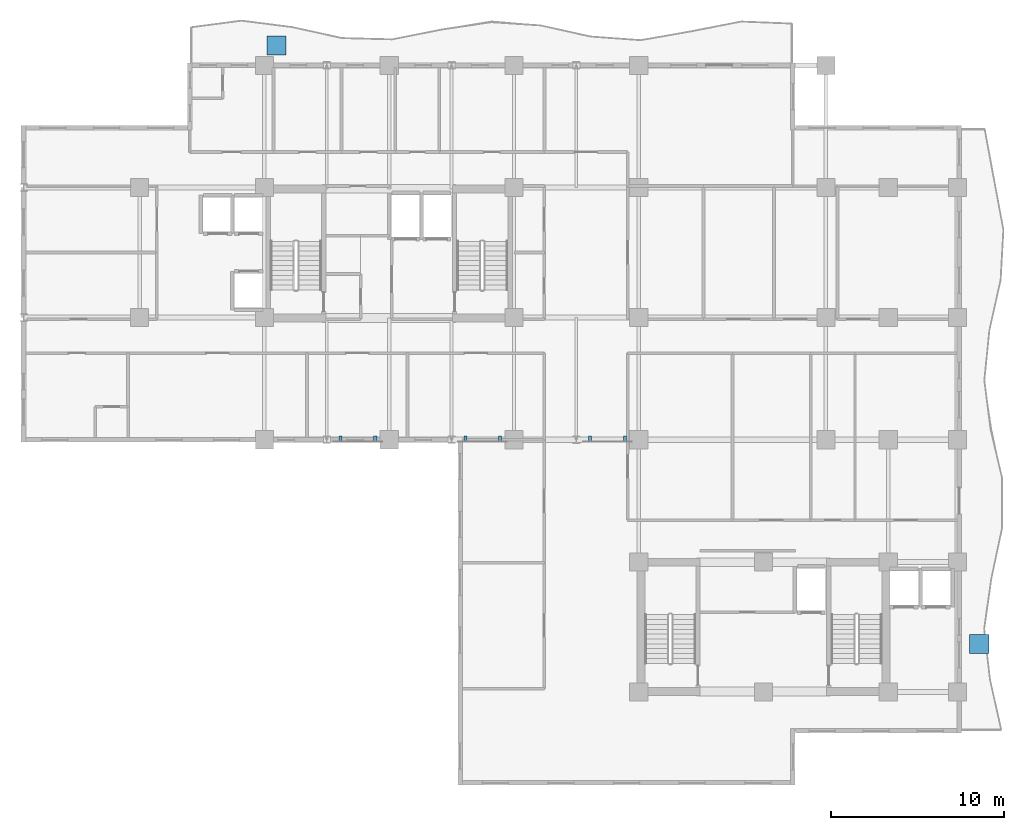
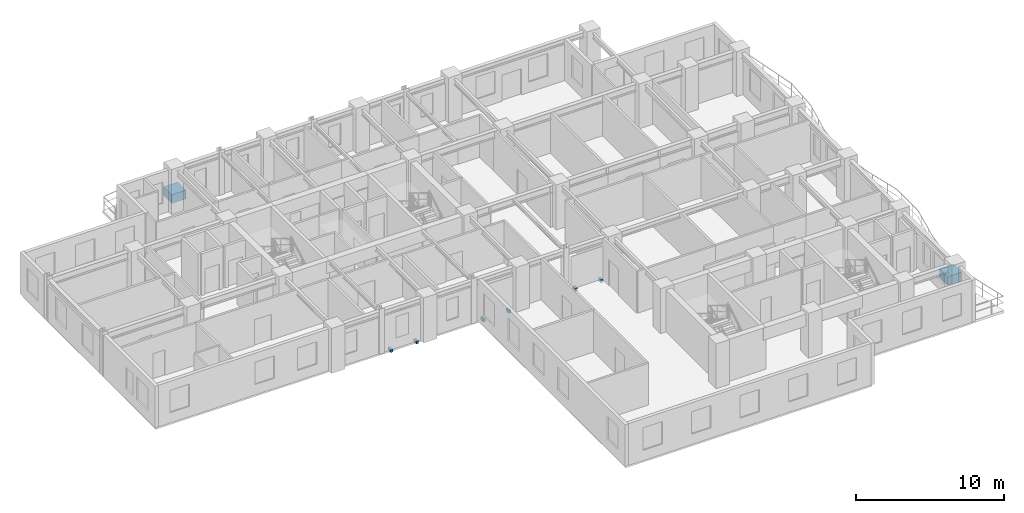
# One storey, part 10 of 13: 8 discrete accessories.
"""IFC4 building model written with IfcOpenShell, lengths in metres."""

from ifc_helpers import new_model, si_unit, direction, frame, origin, origin_2d, place, context, subcontext, project, spatial, rectangle, extrude, source, transform, mapped, material, type_object, element, save


model = new_model("IFC4")

# Units and contexts
model_context = context("Model", 3, precision=1e-05, world=origin(), true_north=direction((0.0, 1.0)))
body_context = subcontext(model_context, "Body", "Model", "MODEL_VIEW")
ifc_project = project(units=[si_unit("LENGTHUNIT", "METRE"), si_unit("AREAUNIT", "SQUARE_METRE"), si_unit("VOLUMEUNIT", "CUBIC_METRE"), si_unit("PLANEANGLEUNIT", "RADIAN"), si_unit("MASSUNIT", "GRAM", prefix="KILO")], contexts=[model_context])

# Site, building, storey
site_placement = place(None, origin())
site = spatial("IfcSite", under=ifc_project, at=site_placement, CompositionType="ELEMENT")
building_placement = place(site_placement, origin())
building = spatial("IfcBuilding", under=site, at=building_placement, Name="Kaliganga Portal Commons", CompositionType="ELEMENT")
storey_placement = place(building_placement, frame((0.0, 0.0, 180.89990234375)))
storey = spatial("IfcBuildingStorey", under=building, at=storey_placement, Name="L46", CompositionType="ELEMENT", Elevation=180.89990234375)

# Discrete accessories
ifc_material_1 = material(Name="Precast concrete C40/50", Category="concrete")
discrete_accessory_type_1 = type_object("IfcDiscreteAccessoryType", Name="DAC-PLANTER-RC", PredefinedType="USERDEFINED", material=ifc_material_1)
shared_shape_1 = source(origin(), body_context, "Body", "SweptSolid", [
    extrude(rectangle(XDim=1.10009765625, YDim=1.10009765625, at=origin_2d()), origin(), (0.0, 0.0, 1.0), 0.719970703125),
])
for number, where, z_axis, x_axis, name in (
    (1, (15.10009765625, 44.35009765625, 0.0), (0.0, 0.0, 1.0), (1.0, 0.0, 0.0), "Structural Tree Planter L46 balc_north"),
    (2, (55.64990234375, 9.800048828125, 0.0), (0.0, 0.0, 1.0), (1.0, 0.0, 0.0), "Structural Tree Planter L46 balc_east"),
):
    element("IfcDiscreteAccessory", number, at=place(storey_placement, frame(where, z_axis=z_axis, x_axis=x_axis)), inside=storey, type_object=discrete_accessory_type_1, Name=name, ObjectType="PLANTER", PredefinedType="USERDEFINED", context=body_context, shape_type="MappedRepresentation", body=[
        mapped(shared_shape_1, transform((0.0, 0.0, 0.0), x_axis=(1.0, 0.0, 0.0), y_axis=(0.0, 1.0, 0.0), z_axis=(0.0, 0.0, 1.0), scale=1.0)),
    ])
ifc_material_2 = material(Name="Structural steel S355J2", Category="steel")
discrete_accessory_type_2 = type_object("IfcDiscreteAccessoryType", Name="DAC-BRK-SCR", PredefinedType="BRACKET", material=ifc_material_2)
shared_shape_2 = source(origin(), body_context, "Body", "SweptSolid", [
    extrude(rectangle(XDim=0.179931640625, YDim=0.360107421875, at=origin_2d()), origin(), (0.0, 0.0, 1.0), 0.219970703125),
])
for number, where, z_axis, x_axis, name in (
    (3, (18.800048828125, 21.6201171875, -0.18994140625), (0.0, 0.0, 1.0), (1.0, 0.0, 0.0), "Solar Screen Outrigger Bracket L46-S1-1"),
    (4, (20.800048828125, 21.6201171875, -0.18994140625), (0.0, 0.0, 1.0), (1.0, 0.0, 0.0), "Solar Screen Outrigger Bracket L46-S1-2"),
    (5, (26.0, 21.6201171875, -0.18994140625), (0.0, 0.0, 1.0), (1.0, 0.0, 0.0), "Solar Screen Outrigger Bracket L46-S2-1"),
    (6, (28.0, 21.6201171875, -0.18994140625), (0.0, 0.0, 1.0), (1.0, 0.0, 0.0), "Solar Screen Outrigger Bracket L46-S2-2"),
    (7, (33.199951171875, 21.6201171875, -0.18994140625), (0.0, 0.0, 1.0), (1.0, 0.0, 0.0), "Solar Screen Outrigger Bracket L46-S3-1"),
    (8, (35.199951171875, 21.6201171875, -0.18994140625), (0.0, 0.0, 1.0), (1.0, 0.0, 0.0), "Solar Screen Outrigger Bracket L46-S3-2"),
):
    element("IfcDiscreteAccessory", number, at=place(storey_placement, frame(where, z_axis=z_axis, x_axis=x_axis)), inside=storey, type_object=discrete_accessory_type_2, Name=name, PredefinedType="BRACKET", context=body_context, shape_type="MappedRepresentation", body=[
        mapped(shared_shape_2, transform((0.0, 0.0, 0.0), x_axis=(1.0, 0.0, 0.0), y_axis=(0.0, 1.0, 0.0), z_axis=(0.0, 0.0, 1.0), scale=1.0)),
    ])

save(model, "model.ifc")
